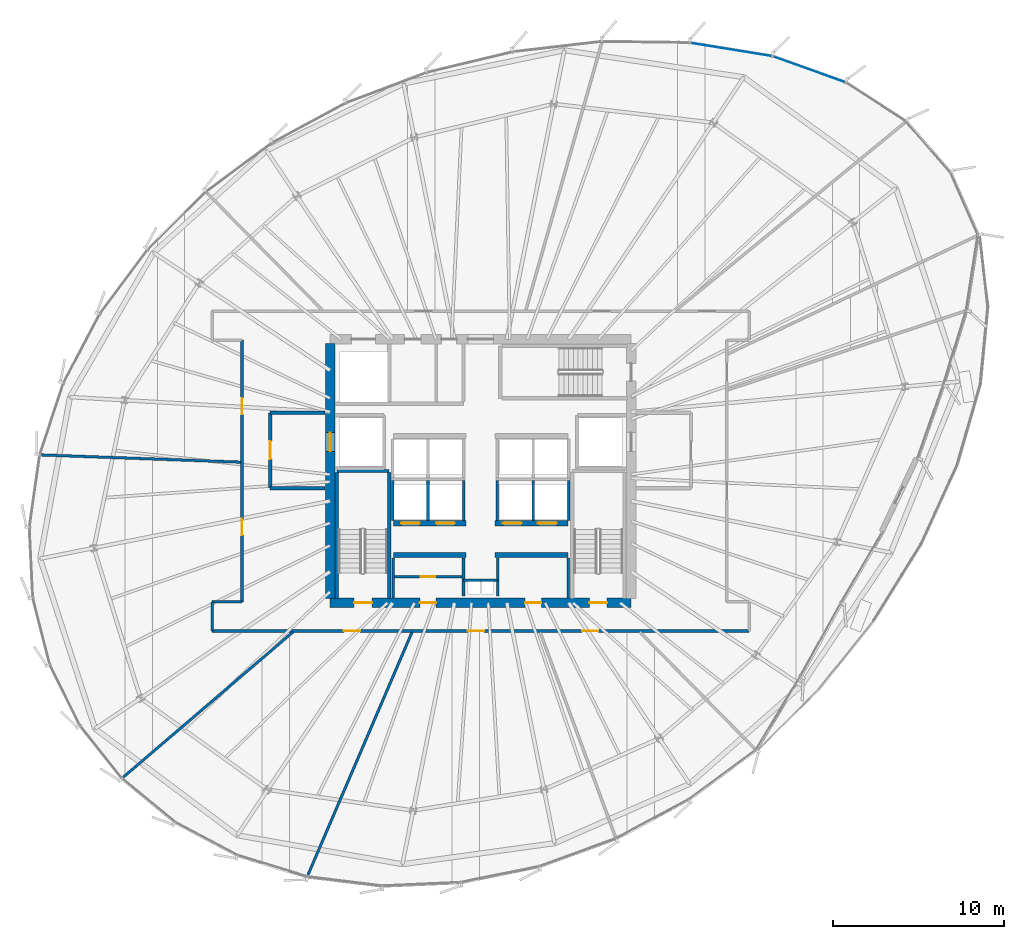
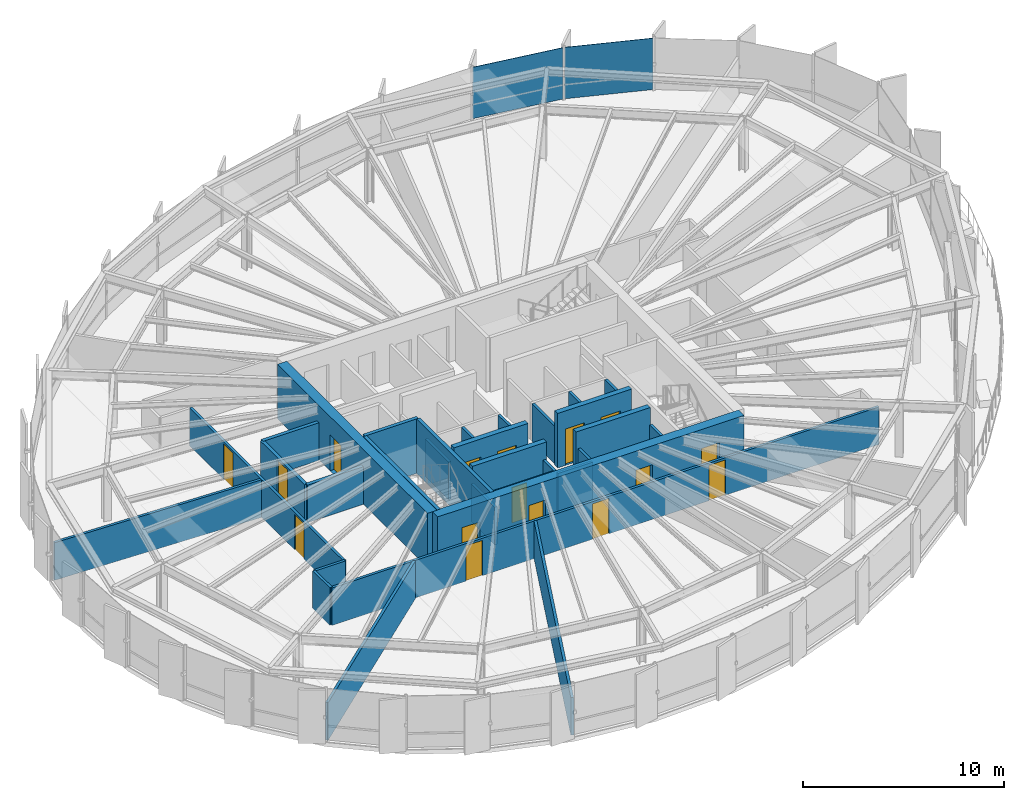
# One storey, part 30 of 36: 31 walls, 16 doors, 2 plates, 16 openings, 1 element without a shape of its own.
"""IFC4 building model written with IfcOpenShell, lengths in metres."""

import ifcopenshell
import ifcopenshell.guid

model = None  # the IFC model being written
_history = None  # IfcOwnerHistory: only IFC2X3 demands one
_inside = {}  # id of a spatial element -> (the spatial element, [elements in it])
_under = {}  # id of a project, library or spatial element -> (it, [spatial elements below it])
_declared = {}  # id of a project -> (the project, [libraries it declares])
_typed = {}  # id of a type object -> (the type object, [elements of that type])
_made_of = {}  # id of a material, layer set ... -> (it, [elements and type objects made of it])


def new_model(schema):
    """Start an empty IFC model of exactly this schema.

    Asked for "IFC4X3", IfcOpenShell would pick the latest addendum, in which some entities
    have other attributes; the version numbers below select the first issue.
    IFC2X3 requires an IfcOwnerHistory on every rooted entity: one is made here for all.
    """
    global model, _history
    if schema == "IFC4X3":
        model = ifcopenshell.file(schema_version=(4, 3, 0, 0))
    else:
        model = ifcopenshell.file(schema=schema)
    _inside.clear()
    _under.clear()
    _declared.clear()
    _typed.clear()
    _made_of.clear()
    _history = None
    if model.schema == "IFC2X3":
        org = make("IfcOrganization", Name="unknown")
        user = make(
            "IfcPersonAndOrganization",
            ThePerson=make("IfcPerson", FamilyName="unknown"),
            TheOrganization=org,
        )
        app = make(
            "IfcApplication",
            ApplicationDeveloper=org,
            Version="unknown",
            ApplicationFullName="unknown",
            ApplicationIdentifier="unknown",
        )
        _history = make(
            "IfcOwnerHistory",
            OwningUser=user,
            OwningApplication=app,
            ChangeAction="ADDED",
            CreationDate=0,
        )
    return model


def make(cls, **values):
    """One entity of the class cls with the attributes given. An attribute that is None is left unset."""
    return model.create_entity(
        cls, **{name: value for name, value in values.items() if value is not None}
    )


def rooted(cls, **values):
    """An entity with a GlobalId (a new one), such as an element, a storey or a relation."""
    return make(cls, GlobalId=ifcopenshell.guid.new(), OwnerHistory=_history, **values)


def si_unit(unit_type, name, prefix=None):
    """IfcSIUnit, for example si_unit("LENGTHUNIT", "METRE", prefix="MILLI")."""
    return make("IfcSIUnit", UnitType=unit_type, Prefix=prefix, Name=name)


def assignment(units):
    """IfcUnitAssignment: the units of a project."""
    return None if units is None else make("IfcUnitAssignment", Units=units)


def point(xyz):
    """IfcCartesianPoint."""
    return None if xyz is None else make("IfcCartesianPoint", Coordinates=xyz)


def direction(xyz):
    """IfcDirection."""
    return None if xyz is None else make("IfcDirection", DirectionRatios=xyz)


def frame(location, z_axis=None, x_axis=None):
    """IfcAxis2Placement3D, a coordinate frame: its origin and axes. An axis left out is left unset."""
    return make(
        "IfcAxis2Placement3D",
        Location=point(location),
        Axis=direction(z_axis),
        RefDirection=direction(x_axis),
    )


def frame_2d(location, x_axis=None):
    """IfcAxis2Placement2D, a coordinate frame in the plane: its origin and x axis."""
    return make(
        "IfcAxis2Placement2D", Location=point(location), RefDirection=direction(x_axis)
    )


def origin():
    """The frame at (0, 0, 0) with its axes left unset."""
    return frame((0.0, 0.0, 0.0))


def origin_2d():
    """The frame at (0, 0) in the plane with its x axis left unset."""
    return frame_2d((0.0, 0.0))


def place(relative_to, where):
    """IfcLocalPlacement: puts the frame where relative to a parent placement (None: the world)."""
    return make(
        "IfcLocalPlacement", PlacementRelTo=relative_to, RelativePlacement=where
    )


def context(
    kind, dimensions, precision=None, world=None, true_north=None, identifier=None
):
    """IfcGeometricRepresentationContext, for example the 3D "Model" context."""
    return make(
        "IfcGeometricRepresentationContext",
        ContextIdentifier=identifier,
        ContextType=kind,
        CoordinateSpaceDimension=dimensions,
        Precision=precision,
        WorldCoordinateSystem=world,
        TrueNorth=true_north,
    )


def subcontext(parent, identifier, kind, view, scale=None):
    """IfcGeometricRepresentationSubContext, for example "Body" below "Model"."""
    return make(
        "IfcGeometricRepresentationSubContext",
        ContextIdentifier=identifier,
        ContextType=kind,
        ParentContext=parent,
        TargetScale=scale,
        TargetView=view,
    )


def project(units=None, contexts=None):
    """IfcProject with its units and contexts."""
    return rooted(
        "IfcProject",
        Name="project",
        RepresentationContexts=contexts,
        UnitsInContext=assignment(units),
    )


def spatial(cls, under=None, at=None, **own):
    """A site, building, storey or space (cls), placed at a placement, below another one or the project."""
    s = rooted(cls, ObjectPlacement=at, **own)
    if under is not None:
        _under.setdefault(under.id(), (under, []))[1].append(s)
    return s


def profile(cls, at=None, kind="AREA", **sizes):
    """A parametric profile (cls). Its sizes go by their IFC names, for example OverallWidth=200.0."""
    return make(cls, ProfileType=kind, Position=at, **sizes)


def rectangle(**sizes):
    """IfcRectangleProfileDef."""
    return profile("IfcRectangleProfileDef", **sizes)


def extrude(swept, where, along, depth):
    """IfcExtrudedAreaSolid: the profile swept, set in the frame where, extruded along a direction by depth."""
    return make(
        "IfcExtrudedAreaSolid",
        SweptArea=swept,
        Position=where,
        ExtrudedDirection=direction(along),
        Depth=depth,
    )


def shape(context_of_items, identifier, shape_type, items):
    """IfcShapeRepresentation: the items that make up one representation, for example the "Body"."""
    return make(
        "IfcShapeRepresentation",
        ContextOfItems=context_of_items,
        RepresentationIdentifier=identifier,
        RepresentationType=shape_type,
        Items=items,
    )


def source(mapping_origin, context_of_items, identifier, shape_type, items):
    """IfcRepresentationMap: a shape defined once, which mapped items show again and again."""
    return make(
        "IfcRepresentationMap",
        MappingOrigin=mapping_origin,
        MappedRepresentation=shape(context_of_items, identifier, shape_type, items),
    )


def transform(
    local_origin,
    x_axis=None,
    y_axis=None,
    z_axis=None,
    scale=None,
    scale2=None,
    scale3=None,
    uniform=True,
):
    """IfcCartesianTransformationOperator3D, or its non-uniform kind. x_axis, y_axis, z_axis: its Axis1, 2, 3."""
    if uniform:
        return make(
            "IfcCartesianTransformationOperator3D",
            Axis1=direction(x_axis),
            Axis2=direction(y_axis),
            LocalOrigin=point(local_origin),
            Scale=scale,
            Axis3=direction(z_axis),
        )
    return make(
        "IfcCartesianTransformationOperator3DnonUniform",
        Axis1=direction(x_axis),
        Axis2=direction(y_axis),
        LocalOrigin=point(local_origin),
        Scale=scale,
        Axis3=direction(z_axis),
        Scale2=scale2,
        Scale3=scale3,
    )


def mapped(mapping_source, mapping_target):
    """IfcMappedItem: shows the shape of a source again, moved by a transform."""
    return make(
        "IfcMappedItem", MappingSource=mapping_source, MappingTarget=mapping_target
    )


def material(Name=None, Category=None):
    """IfcMaterial."""
    return make("IfcMaterial", Name=Name, Category=Category)


def layer(
    of_material, thickness, ventilated=None, Name=None, Category=None, Priority=None
):
    """IfcMaterialLayer: one layer of a wall or slab, of a material (None: an air gap)."""
    return make(
        "IfcMaterialLayer",
        Material=of_material,
        LayerThickness=thickness,
        IsVentilated=ventilated,
        Name=Name,
        Category=Category,
        Priority=Priority,
    )


def layer_set(layers, Name=None):
    """IfcMaterialLayerSet."""
    return make("IfcMaterialLayerSet", MaterialLayers=layers, LayerSetName=Name)


def made_of(thing, what):
    """Note that an element or type object is made of a material, layer set ...; save() writes the relation."""
    if what is not None:
        _made_of.setdefault(what.id(), (what, []))[1].append(thing)
    return thing


def type_object(cls, material=None, **own):
    """A type object (cls), such as IfcWallType, which elements share."""
    return made_of(rooted(cls, **own), material)


def element(
    cls,
    number,
    at=None,
    inside=None,
    cuts=None,
    type_object=None,
    material=None,
    context=None,
    identifier="Body",
    shape_type=None,
    held_by="IfcProductDefinitionShape",
    body=None,
    shapes=None,
    **own,
):
    """One element of the class cls, such as IfcWall. Its Tag is "e" and its number.

    at: its placement. inside: the storey or other place that contains it. cuts: it is an
    opening in that element (IfcRelVoidsElement). A single representation is given by context,
    identifier, shape_type and body (its items); several are given by shapes. held_by: the class
    of the entity that holds the representations. save() writes the other relations.
    """
    e = rooted(cls, Tag="e%d" % number, ObjectPlacement=at, **own)
    if body is not None:
        shapes = [shape(context, identifier, shape_type, body)]
    if shapes is not None:
        e.Representation = make(held_by, Representations=shapes)
    if inside is not None:
        _inside.setdefault(inside.id(), (inside, []))[1].append(e)
    if cuts is not None:
        rooted(
            "IfcRelVoidsElement", RelatingBuildingElement=cuts, RelatedOpeningElement=e
        )
    if type_object is not None:
        _typed.setdefault(type_object.id(), (type_object, []))[1].append(e)
    return made_of(e, material)


def fill(opening, filler):
    """IfcRelFillsElement: the door or window that sits in an opening."""
    return rooted(
        "IfcRelFillsElement",
        RelatingOpeningElement=opening,
        RelatedBuildingElement=filler,
    )


def aggregate(whole, parts):
    """IfcRelAggregates: a whole, such as a stair, and the parts it consists of."""
    return rooted("IfcRelAggregates", RelatingObject=whole, RelatedObjects=parts)


def save(model, path):
    """Write the relations noted so far, then the file.

    IfcRelAggregates (storeys below a building ...), IfcRelContainedInSpatialStructure (elements
    in a storey), IfcRelDefinesByType, IfcRelAssociatesMaterial and IfcRelDeclares: one each for
    every whole, place, type object, material and project.
    """
    for whole, parts in _under.values():
        aggregate(whole, parts)
    for where, things in _inside.values():
        rooted(
            "IfcRelContainedInSpatialStructure",
            RelatedElements=things,
            RelatingStructure=where,
        )
    for kind, things in _typed.values():
        rooted("IfcRelDefinesByType", RelatedObjects=things, RelatingType=kind)
    for what, things in _made_of.values():
        rooted("IfcRelAssociatesMaterial", RelatedObjects=things, RelatingMaterial=what)
    for by, libraries in _declared.values():
        rooted("IfcRelDeclares", RelatingContext=by, RelatedDefinitions=libraries)
    model.write(path)


model = new_model("IFC4")

# Units and contexts
model_context = context("Model", 3, precision=1e-05, world=origin(), true_north=direction((0.0, 1.0)))
body_context = subcontext(model_context, "Body", "Model", "MODEL_VIEW")
ifc_project = project(units=[si_unit("LENGTHUNIT", "METRE"), si_unit("AREAUNIT", "SQUARE_METRE"), si_unit("VOLUMEUNIT", "CUBIC_METRE"), si_unit("PLANEANGLEUNIT", "RADIAN"), si_unit("MASSUNIT", "GRAM", prefix="KILO"), si_unit("THERMODYNAMICTEMPERATUREUNIT", "KELVIN")], contexts=[model_context])

# Site, building, storey
site_placement = place(None, origin())
site = spatial("IfcSite", under=ifc_project, at=site_placement, CompositionType="ELEMENT")
building_placement = place(site_placement, origin())
building = spatial("IfcBuilding", under=site, at=building_placement, Name="Kethvar Cultural Tower", CompositionType="ELEMENT")
storey_placement = place(building_placement, frame((0.0, 0.0, 164.300048828125)))
storey = spatial("IfcBuildingStorey", under=building, at=storey_placement, Name="L42", CompositionType="ELEMENT", Elevation=164.300048828125)

# Curtain wall, plates
ifc_material_1 = material(Name="Aluminium 6063-T6", Category="aluminium")
ifc_layer_1 = layer(ifc_material_1, 0.179931640625, Name="Aluminium 6063-T6", Category="aluminium")
ifc_layer_set_1 = layer_set([ifc_layer_1], Name="Aluminium 6063-T6 (180 mm)")
curtain_wall_type = type_object("IfcCurtainWallType", Name="CW-SYS-04-Z34", PredefinedType="NOTDEFINED", material=ifc_layer_set_1)
curtain_wall_placement = place(storey_placement, origin())
curtain_wall = element("IfcCurtainWall", 1, at=curtain_wall_placement, inside=storey, type_object=curtain_wall_type, Name="L42 Curtain Wall Run 01", PredefinedType="NOTDEFINED")
ifc_material_2 = material(Name="Insulated Low-E Solar Glass", Category="glass")
ifc_layer_2 = layer(ifc_material_2, 0.030029296875, Name="Insulated Low-E Solar Glass", Category="glass")
ifc_layer_set_2 = layer_set([ifc_layer_2], Name="Insulated Low-E Solar Glass (30 mm)")
plate_type = type_object("IfcPlateType", Name="CW-SYS-04-Z34-PNL", PredefinedType="CURTAIN_PANEL", material=ifc_layer_set_2)
shared_shape_1 = source(origin(), body_context, "Body", "SweptSolid", [
    extrude(rectangle(XDim=4.485107421875, YDim=0.030029296875, at=origin_2d()), origin(), (0.0, 0.0, 1.0), 3.1201171875),
])
plate_1_placement = place(storey_placement, frame((65.98876953125, 51.27978515625, 0.08984375), z_axis=(0.0, 0.0, 1.0), x_axis=(-0.941611664345, 0.336700866602, 0.0)))
plate_1 = element("IfcPlate", 2, at=plate_1_placement, type_object=plate_type, Name="CW-L42-R01 Vision Glazing Panel 3", PredefinedType="CURTAIN_PANEL", context=body_context, shape_type="MappedRepresentation", body=[
    mapped(shared_shape_1, transform((0.0, 0.0, 0.0), scale=1.0)),
])
shared_shape_2 = source(origin(), body_context, "Body", "SweptSolid", [
    extrude(rectangle(XDim=4.821044921875, YDim=0.030029296875, at=origin_2d()), origin(), (0.0, 0.0, 1.0), 3.1201171875),
])
plate_2_placement = place(storey_placement, frame((61.433837890625, 52.437255859375, 0.08984375), z_axis=(0.0, 0.0, 1.0), x_axis=(-0.987085988204, 0.160191297801, 0.0)))
plate_2 = element("IfcPlate", 3, at=plate_2_placement, type_object=plate_type, Name="CW-L42-R01 Vision Glazing Panel 4", PredefinedType="CURTAIN_PANEL", context=body_context, shape_type="MappedRepresentation", body=[
    mapped(shared_shape_2, transform((0.0, 0.0, 0.0), scale=1.0)),
])
aggregate(curtain_wall, [plate_1, plate_2])

# Wall, openings, doors
ifc_material_3 = material(Name="Concrete C60/75", Category="concrete")
ifc_layer_3 = layer(ifc_material_3, 0.550048828125, Name="Concrete C60/75", Category="concrete")
ifc_layer_set_3 = layer_set([ifc_layer_3], Name="Concrete C60/75 (550 mm)")
wall_type_1 = type_object("IfcWallType", Name="WL-CORE-550", PredefinedType="SHEAR", material=ifc_layer_set_3)
wall_1_placement = place(storey_placement, frame((38.0, 20.10009765625, 0.0), z_axis=(0.0, 0.0, 1.0), x_axis=(1.0, 0.0, 0.0)))
wall_1 = element("IfcWall", 4, at=wall_1_placement, inside=storey, type_object=wall_type_1, Name="L42 Core Shear Wall S", PredefinedType="SHEAR", context=body_context, shape_type="SweptSolid", body=[
    extrude(rectangle(XDim=17.60009765625, YDim=0.550048828125, at=frame_2d((8.800048828125, 0.0))), origin(), (0.0, 0.0, 1.0), 3.300048828125),
])
opening_1_placement = place(wall_1_placement, frame((1.39990234375, 0.0, 0.0)))
opening_1 = element("IfcOpeningElement", 5, at=opening_1_placement, cuts=wall_1, Name="Opening D-L42-S1", PredefinedType="OPENING", context=body_context, shape_type="SweptSolid", body=[
    extrude(rectangle(XDim=1.050048828125, YDim=2.14990234375, at=frame_2d((0.52490234375, 1.074951171875))), frame((0.0, 0.284912109375, 0.0), z_axis=(0.0, -1.0, 0.0), x_axis=(1.0, 0.0, 0.0)), (0.0, 0.0, 1.0), 0.570068359375),
])
opening_2_placement = place(wall_1_placement, frame((15.14990234375, 0.0, 0.0)))
opening_2 = element("IfcOpeningElement", 6, at=opening_2_placement, cuts=wall_1, Name="Opening D-L42-ST2", PredefinedType="OPENING", context=body_context, shape_type="SweptSolid", body=[
    extrude(rectangle(XDim=1.050048828125, YDim=2.14990234375, at=frame_2d((0.52490234375, 1.074951171875))), frame((0.0, 0.284912109375, 0.0), z_axis=(0.0, -1.0, 0.0), x_axis=(1.0, 0.0, 0.0)), (0.0, 0.0, 1.0), 0.570068359375),
])
opening_3_placement = place(wall_1_placement, frame((5.25, 0.0, 0.0)))
opening_3 = element("IfcOpeningElement", 7, at=opening_3_placement, cuts=wall_1, Name="Opening D-L42-V1", PredefinedType="OPENING", context=body_context, shape_type="SweptSolid", body=[
    extrude(rectangle(XDim=0.949951171875, YDim=2.14990234375, at=frame_2d((0.47509765625, 1.074951171875))), frame((0.0, 0.284912109375, 0.0), z_axis=(0.0, -1.0, 0.0), x_axis=(1.0, 0.0, 0.0)), (0.0, 0.0, 1.0), 0.570068359375),
])
opening_4_placement = place(wall_1_placement, frame((11.39990234375, 0.0, 0.0)))
opening_4 = element("IfcOpeningElement", 8, at=opening_4_placement, cuts=wall_1, Name="Opening D-L42-V2", PredefinedType="OPENING", context=body_context, shape_type="SweptSolid", body=[
    extrude(rectangle(XDim=0.949951171875, YDim=2.14990234375, at=frame_2d((0.47509765625, 1.074951171875))), frame((0.0, 0.284912109375, 0.0), z_axis=(0.0, -1.0, 0.0), x_axis=(1.0, 0.0, 0.0)), (0.0, 0.0, 1.0), 0.570068359375),
])
ifc_material_4 = material(Name="Steel S355J2", Category="steel")
door_type_1 = type_object("IfcDoorType", Name="DR-FD60-1050", OperationType="NOTDEFINED", PredefinedType="DOOR", material=ifc_material_4)
shared_shape_3 = source(origin(), body_context, "Body", "SweptSolid", [
    extrude(rectangle(XDim=1.050048828125, YDim=2.14990234375, at=frame_2d((0.52490234375, 1.074951171875))), frame((0.0, 0.02490234375, 0.0), z_axis=(0.0, -1.0, 0.0), x_axis=(1.0, 0.0, 0.0)), (0.0, 0.0, 1.0), 0.050048828125),
])
door_1_placement = place(opening_1_placement, origin())
door_1 = element("IfcDoor", 9, at=door_1_placement, inside=storey, type_object=door_type_1, Name="L42 Exit Stair 1 Door", OperationType="SINGLE_SWING_LEFT", OverallHeight=2.14990234375, OverallWidth=1.050048828125, PredefinedType="DOOR", context=body_context, shape_type="MappedRepresentation", body=[
    mapped(shared_shape_3, transform((0.0, 0.0, 0.0), scale=1.0)),
])
fill(opening_1, door_1)
door_2_placement = place(opening_2_placement, origin())
door_2 = element("IfcDoor", 10, at=door_2_placement, inside=storey, type_object=door_type_1, Name="L42 Exit Stair 2 Door", OperationType="SINGLE_SWING_RIGHT", OverallHeight=2.14990234375, OverallWidth=1.050048828125, PredefinedType="DOOR", context=body_context, shape_type="MappedRepresentation", body=[
    mapped(shared_shape_3, transform((0.0, 0.0, 0.0), scale=1.0)),
])
fill(opening_2, door_2)
ifc_material_5 = material(Name="Architectural Oak Timber", Category="wood")
door_type_2 = type_object("IfcDoorType", Name="DR-FD30-950", OperationType="NOTDEFINED", PredefinedType="DOOR", material=ifc_material_5)
shared_shape_4 = source(origin(), body_context, "Body", "SweptSolid", [
    extrude(rectangle(XDim=0.949951171875, YDim=2.14990234375, at=frame_2d((0.47509765625, 1.074951171875))), frame((0.0, 0.02490234375, 0.0), z_axis=(0.0, -1.0, 0.0), x_axis=(1.0, 0.0, 0.0)), (0.0, 0.0, 1.0), 0.050048828125),
])
door_3_placement = place(opening_3_placement, origin())
door_3 = element("IfcDoor", 11, at=door_3_placement, inside=storey, type_object=door_type_2, Name="L42 Reclaimed West South Door", OperationType="SINGLE_SWING_LEFT", OverallHeight=2.14990234375, OverallWidth=0.949951171875, PredefinedType="DOOR", context=body_context, shape_type="MappedRepresentation", body=[
    mapped(shared_shape_4, transform((0.0, 0.0, 0.0), scale=1.0)),
])
fill(opening_3, door_3)
door_4_placement = place(opening_4_placement, origin())
door_4 = element("IfcDoor", 12, at=door_4_placement, inside=storey, type_object=door_type_2, Name="L42 Reclaimed East Server Door", OperationType="SINGLE_SWING_RIGHT", OverallHeight=2.14990234375, OverallWidth=0.949951171875, PredefinedType="DOOR", context=body_context, shape_type="MappedRepresentation", body=[
    mapped(shared_shape_4, transform((0.0, 0.0, 0.0), scale=1.0)),
])
fill(opening_4, door_4)

# Wall, opening, door
wall_2_placement = place(storey_placement, frame((38.0, 35.260009765625, 0.0), z_axis=(0.0, 0.0, 1.0), x_axis=(0.0, -1.0, 0.0)))
wall_2 = element("IfcWall", 13, at=wall_2_placement, inside=storey, type_object=wall_type_1, Name="L42 Core Shear Wall W", PredefinedType="SHEAR", context=body_context, shape_type="SweptSolid", body=[
    extrude(rectangle(XDim=14.919921875, YDim=0.550048828125, at=frame_2d((7.4599609375, 0.0))), origin(), (0.0, 0.0, 1.0), 3.300048828125),
])
opening_5_placement = place(wall_2_placement, frame((5.2099609375, 0.0, 0.0)))
opening_5 = element("IfcOpeningElement", 14, at=opening_5_placement, cuts=wall_2, Name="Opening LD-1", PredefinedType="OPENING", context=body_context, shape_type="SweptSolid", body=[
    extrude(rectangle(XDim=1.10009765625, YDim=2.199951171875, at=frame_2d((0.550048828125, 1.10009765625))), frame((0.0, 0.284912109375, 0.0), z_axis=(0.0, -1.0, 0.0), x_axis=(1.0, 0.0, 0.0)), (0.0, 0.0, 1.0), 0.570068359375),
])
door_type_3 = type_object("IfcDoorType", Name="DR-LIFT-SLIDE-1100", OperationType="NOTDEFINED", PredefinedType="DOOR", material=ifc_material_4)
shared_shape_5 = source(origin(), body_context, "Body", "SweptSolid", [
    extrude(rectangle(XDim=1.10009765625, YDim=2.199951171875, at=frame_2d((0.550048828125, 1.10009765625))), frame((0.0, 0.02490234375, 0.0), z_axis=(0.0, -1.0, 0.0), x_axis=(1.0, 0.0, 0.0)), (0.0, 0.0, 1.0), 0.050048828125),
])
door_5_placement = place(opening_5_placement, origin())
door_5 = element("IfcDoor", 15, at=door_5_placement, inside=storey, type_object=door_type_3, Name="L42 Firefighting Lift Landing Door FFL-01", OperationType="SLIDING_TO_LEFT", OverallHeight=2.199951171875, OverallWidth=1.10009765625, PredefinedType="DOOR", context=body_context, shape_type="MappedRepresentation", body=[
    mapped(shared_shape_5, transform((0.0, 0.0, 0.0), scale=1.0)),
])
fill(opening_5, door_5)

# Walls
ifc_material_6 = material(Name="Gypsum Fireboard Partition")
ifc_layer_4 = layer(ifc_material_6, 0.14990234375, Name="Gypsum Fireboard Partition")
ifc_layer_set_4 = layer_set([ifc_layer_4], Name="Gypsum Fireboard Partition (150 mm)")
wall_type_2 = type_object("IfcWallType", Name="WL-FIRE-150", PredefinedType="PARTITIONING", material=ifc_layer_set_4)
wall_3_placement = place(storey_placement, frame((45.800048828125, 21.419921875, 0.0), z_axis=(0.0, 0.0, 1.0), x_axis=(1.0, 0.0, 0.0)))
element("IfcWall", 16, at=wall_3_placement, inside=storey, type_object=wall_type_2, Name="L42 Core Riser Wall", PredefinedType="PARTITIONING", context=body_context, shape_type="SweptSolid", body=[
    extrude(rectangle(XDim=2.0, YDim=0.14990234375, at=frame_2d((1.0, 0.0))), origin(), (0.0, 0.0, 1.0), 2.280029296875),
])
for number, where, z_axis, x_axis, name in (
    (17, (45.800048828125, 20.47998046875, 0.0), (0.0, 0.0, 1.0), (0.0, 1.0, 0.0), "L42 Core Riser West Wall"),
    (18, (47.800048828125, 20.47998046875, 0.0), (0.0, 0.0, 1.0), (0.0, 1.0, 0.0), "L42 Core Riser East Wall"),
):
    element("IfcWall", number, at=place(storey_placement, frame(where, z_axis=z_axis, x_axis=x_axis)), inside=storey, type_object=wall_type_2, Name=name, PredefinedType="PARTITIONING", context=body_context, shape_type="SweptSolid", body=[
        extrude(rectangle(XDim=2.239990234375, YDim=0.14990234375, at=frame_2d((1.1201171875, 0.0))), origin(), (0.0, 0.0, 1.0), 2.280029296875),
    ])
for number, where, z_axis, x_axis, name in (
    (19, (41.679931640625, 20.385009765625, 0.0), (0.0, 0.0, 1.0), (0.0, 1.0, 0.0), "L42 Reclaimed West Outer Wall"),
    (20, (51.919921875, 20.385009765625, 0.0), (0.0, 0.0, 1.0), (0.0, 1.0, 0.0), "L42 Reclaimed East Outer Wall"),
):
    element("IfcWall", number, at=place(storey_placement, frame(where, z_axis=z_axis, x_axis=x_axis)), inside=storey, type_object=wall_type_2, Name=name, PredefinedType="PARTITIONING", context=body_context, shape_type="SweptSolid", body=[
        extrude(rectangle(XDim=2.344970703125, YDim=0.14990234375, at=frame_2d((1.17236328125, 0.0))), origin(), (0.0, 0.0, 1.0), 2.280029296875),
    ])

# Wall, opening, door
wall_4_placement = place(storey_placement, frame((41.760009765625, 21.6201171875, 0.0), z_axis=(0.0, 0.0, 1.0), x_axis=(1.0, 0.0, 0.0)))
wall_4 = element("IfcWall", 21, at=wall_4_placement, inside=storey, type_object=wall_type_2, Name="L42 Vault Gallery Wall W", PredefinedType="PARTITIONING", context=body_context, shape_type="SweptSolid", body=[
    extrude(rectangle(XDim=3.9599609375, YDim=0.14990234375, at=frame_2d((1.97998046875, 0.0))), origin(), (0.0, 0.0, 1.0), 2.280029296875),
])
opening_6_placement = place(wall_4_placement, frame((1.550048828125, 0.0, 0.0)))
opening_6 = element("IfcOpeningElement", 22, at=opening_6_placement, cuts=wall_4, Name="Opening D-L42-V3", PredefinedType="OPENING", context=body_context, shape_type="SweptSolid", body=[
    extrude(rectangle(XDim=0.85009765625, YDim=2.14990234375, at=frame_2d((0.425048828125, 1.074951171875))), frame((0.0, 0.0849609375, 0.0), z_axis=(0.0, -1.0, 0.0), x_axis=(1.0, 0.0, 0.0)), (0.0, 0.0, 1.0), 0.169921875),
])
door_type_4 = type_object("IfcDoorType", Name="DR-FD30-850", OperationType="NOTDEFINED", PredefinedType="DOOR", material=ifc_material_4)
shared_shape_6 = source(origin(), body_context, "Body", "SweptSolid", [
    extrude(rectangle(XDim=0.85009765625, YDim=2.14990234375, at=frame_2d((0.425048828125, 1.074951171875))), frame((0.0, 0.02490234375, 0.0), z_axis=(0.0, -1.0, 0.0), x_axis=(1.0, 0.0, 0.0)), (0.0, 0.0, 1.0), 0.050048828125),
])
door_6_placement = place(opening_6_placement, origin())
door_6 = element("IfcDoor", 23, at=door_6_placement, inside=storey, type_object=door_type_4, Name="L42 Inner Vault Gallery Door", OperationType="SINGLE_SWING_LEFT", OverallHeight=2.14990234375, OverallWidth=0.85009765625, PredefinedType="DOOR", context=body_context, shape_type="MappedRepresentation", body=[
    mapped(shared_shape_6, transform((0.0, 0.0, 0.0), scale=1.0)),
])
fill(opening_6, door_6)

# Walls
for number, where, z_axis, x_axis, name in (
    (24, (41.64990234375, 24.919921875, 0.0), (0.0, 0.0, 1.0), (0.0, 1.0, 0.0), "L42 Mid-Rise Lift Shaft Outer Wall W"),
    (25, (43.72509765625, 24.919921875, 0.0), (0.0, 0.0, 1.0), (0.0, 1.0, 0.0), "L42 Mid-Rise Lift Shaft Divider W"),
    (26, (45.824951171875, 24.919921875, 0.0), (0.0, 0.0, 1.0), (0.0, 1.0, 0.0), "L42 Mid-Rise Lift Shaft Concourse Wall W"),
    (27, (47.77490234375, 24.919921875, 0.0), (0.0, 0.0, 1.0), (0.0, 1.0, 0.0), "L42 Mid-Rise Lift Shaft Concourse Wall E"),
    (28, (49.875, 24.919921875, 0.0), (0.0, 0.0, 1.0), (0.0, 1.0, 0.0), "L42 Mid-Rise Lift Shaft Divider E"),
    (29, (51.949951171875, 24.919921875, 0.0), (0.0, 0.0, 1.0), (0.0, 1.0, 0.0), "L42 Mid-Rise Lift Shaft Outer Wall E"),
):
    element("IfcWall", number, at=place(storey_placement, frame(where, z_axis=z_axis, x_axis=x_axis)), inside=storey, type_object=wall_type_2, Name=name, PredefinedType="PARTITIONING", context=body_context, shape_type="SweptSolid", body=[
        extrude(rectangle(XDim=2.320068359375, YDim=0.14990234375, at=frame_2d((1.16015625, 0.0))), origin(), (0.0, 0.0, 1.0), 2.280029296875),
    ])

# Wall, openings, doors
wall_5_placement = place(storey_placement, frame((31.10009765625, 18.449951171875, 0.0), z_axis=(0.0, 0.0, 1.0), x_axis=(1.0, 0.0, 0.0)))
wall_5 = element("IfcWall", 30, at=wall_5_placement, inside=storey, type_object=wall_type_2, Name="L42 Corridor Rated Wall S", PredefinedType="PARTITIONING", context=body_context, shape_type="SweptSolid", body=[
    extrude(rectangle(XDim=31.39990234375, YDim=0.14990234375, at=frame_2d((15.699951171875, 0.0))), origin(), (0.0, 0.0, 1.0), 2.280029296875),
])
opening_7_placement = place(wall_5_placement, frame((7.70849609375, 0.0, 0.0)))
opening_7 = element("IfcOpeningElement", 31, at=opening_7_placement, cuts=wall_5, Name="Opening D-L42-01", PredefinedType="OPENING", context=body_context, shape_type="SweptSolid", body=[
    extrude(rectangle(XDim=0.949951171875, YDim=2.14990234375, at=frame_2d((0.47509765625, 1.074951171875))), frame((0.0, 0.0849609375, 0.0), z_axis=(0.0, -1.0, 0.0), x_axis=(1.0, 0.0, 0.0)), (0.0, 0.0, 1.0), 0.169921875),
])
opening_8_placement = place(wall_5_placement, frame((14.9560546875, 0.0, 0.0)))
opening_8 = element("IfcOpeningElement", 32, at=opening_8_placement, cuts=wall_5, Name="Opening D-L42-02", PredefinedType="OPENING", context=body_context, shape_type="SweptSolid", body=[
    extrude(rectangle(XDim=0.949951171875, YDim=2.14990234375, at=frame_2d((0.47509765625, 1.074951171875))), frame((0.0, 0.0849609375, 0.0), z_axis=(0.0, -1.0, 0.0), x_axis=(1.0, 0.0, 0.0)), (0.0, 0.0, 1.0), 0.169921875),
])
opening_9_placement = place(wall_5_placement, frame((21.6318359375, 0.0, 0.0)))
opening_9 = element("IfcOpeningElement", 33, at=opening_9_placement, cuts=wall_5, Name="Opening D-L42-03", PredefinedType="OPENING", context=body_context, shape_type="SweptSolid", body=[
    extrude(rectangle(XDim=0.949951171875, YDim=2.14990234375, at=frame_2d((0.47509765625, 1.074951171875))), frame((0.0, 0.0849609375, 0.0), z_axis=(0.0, -1.0, 0.0), x_axis=(1.0, 0.0, 0.0)), (0.0, 0.0, 1.0), 0.169921875),
])
door_7_placement = place(opening_7_placement, origin())
door_7 = element("IfcDoor", 34, at=door_7_placement, inside=storey, type_object=door_type_2, Name="L42 Institutional Tenant Office 01 Door", OperationType="SINGLE_SWING_LEFT", OverallHeight=2.14990234375, OverallWidth=0.949951171875, PredefinedType="DOOR", context=body_context, shape_type="MappedRepresentation", body=[
    mapped(shared_shape_4, transform((0.0, 0.0, 0.0), scale=1.0)),
])
fill(opening_7, door_7)
door_8_placement = place(opening_8_placement, origin())
door_8 = element("IfcDoor", 35, at=door_8_placement, inside=storey, type_object=door_type_2, Name="L42 Editorial Partner Office 02 Door", OperationType="SINGLE_SWING_RIGHT", OverallHeight=2.14990234375, OverallWidth=0.949951171875, PredefinedType="DOOR", context=body_context, shape_type="MappedRepresentation", body=[
    mapped(shared_shape_4, transform((0.0, 0.0, 0.0), scale=1.0)),
])
fill(opening_8, door_8)
door_9_placement = place(opening_9_placement, origin())
door_9 = element("IfcDoor", 36, at=door_9_placement, inside=storey, type_object=door_type_2, Name="L42 Open Plan Office 03 Door", OperationType="SINGLE_SWING_LEFT", OverallHeight=2.14990234375, OverallWidth=0.949951171875, PredefinedType="DOOR", context=body_context, shape_type="MappedRepresentation", body=[
    mapped(shared_shape_4, transform((0.0, 0.0, 0.0), scale=1.0)),
])
fill(opening_9, door_9)

wall_6_placement = place(storey_placement, frame((32.85009765625, 35.449951171875, 0.0), z_axis=(0.0, 0.0, 1.0), x_axis=(0.0, -1.0, 0.0)))
wall_6 = element("IfcWall", 37, at=wall_6_placement, inside=storey, type_object=wall_type_2, Name="L42 Corridor Rated Wall WM", PredefinedType="PARTITIONING", context=body_context, shape_type="SweptSolid", body=[
    extrude(rectangle(XDim=15.300048828125, YDim=0.14990234375, at=frame_2d((7.64990234375, 0.0))), origin(), (0.0, 0.0, 1.0), 2.280029296875),
])
opening_10_placement = place(wall_6_placement, frame((3.38134765625, 0.0, 0.0)))
opening_10 = element("IfcOpeningElement", 38, at=opening_10_placement, cuts=wall_6, Name="Opening D-L42-09", PredefinedType="OPENING", context=body_context, shape_type="SweptSolid", body=[
    extrude(rectangle(XDim=0.949951171875, YDim=2.14990234375, at=frame_2d((0.47509765625, 1.074951171875))), frame((0.0, 0.0849609375, 0.0), z_axis=(0.0, -1.0, 0.0), x_axis=(1.0, 0.0, 0.0)), (0.0, 0.0, 1.0), 0.169921875),
])
opening_11_placement = place(wall_6_placement, frame((10.451416015625, 0.0, 0.0)))
opening_11 = element("IfcOpeningElement", 39, at=opening_11_placement, cuts=wall_6, Name="Opening D-L42-10", PredefinedType="OPENING", context=body_context, shape_type="SweptSolid", body=[
    extrude(rectangle(XDim=0.949951171875, YDim=2.14990234375, at=frame_2d((0.47509765625, 1.074951171875))), frame((0.0, 0.0849609375, 0.0), z_axis=(0.0, -1.0, 0.0), x_axis=(1.0, 0.0, 0.0)), (0.0, 0.0, 1.0), 0.169921875),
])
door_10_placement = place(opening_10_placement, origin())
door_10 = element("IfcDoor", 40, at=door_10_placement, inside=storey, type_object=door_type_2, Name="L42 Members' Dining Lounge 09 Door", OperationType="SINGLE_SWING_LEFT", OverallHeight=2.14990234375, OverallWidth=0.949951171875, PredefinedType="DOOR", context=body_context, shape_type="MappedRepresentation", body=[
    mapped(shared_shape_4, transform((0.0, 0.0, 0.0), scale=1.0)),
])
fill(opening_10, door_10)
door_11_placement = place(opening_11_placement, origin())
door_11 = element("IfcDoor", 41, at=door_11_placement, inside=storey, type_object=door_type_2, Name="L42 Visitor Reception 10 Door", OperationType="SINGLE_SWING_RIGHT", OverallHeight=2.14990234375, OverallWidth=0.949951171875, PredefinedType="DOOR", context=body_context, shape_type="MappedRepresentation", body=[
    mapped(shared_shape_4, transform((0.0, 0.0, 0.0), scale=1.0)),
])
fill(opening_11, door_11)

# Walls
wall_7_placement = place(storey_placement, frame((32.85009765625, 20.14990234375, 0.0), z_axis=(0.0, 0.0, 1.0), x_axis=(-1.0, 0.0, 0.0)))
element("IfcWall", 42, at=wall_7_placement, inside=storey, type_object=wall_type_2, Name="L42 Corridor Rated Wall WST", PredefinedType="PARTITIONING", context=body_context, shape_type="SweptSolid", body=[
    extrude(rectangle(XDim=1.75, YDim=0.14990234375, at=frame_2d((0.875, 0.0))), origin(), (0.0, 0.0, 1.0), 2.280029296875),
])
wall_8_placement = place(storey_placement, frame((31.10009765625, 20.14990234375, 0.0), z_axis=(0.0, 0.0, 1.0), x_axis=(0.0, -1.0, 0.0)))
element("IfcWall", 43, at=wall_8_placement, inside=storey, type_object=wall_type_2, Name="L42 Corridor Rated Wall WS", PredefinedType="PARTITIONING", context=body_context, shape_type="SweptSolid", body=[
    extrude(rectangle(XDim=1.699951171875, YDim=0.14990234375, at=frame_2d((0.85009765625, 0.0))), origin(), (0.0, 0.0, 1.0), 2.280029296875),
])

# Wall, opening, door
ifc_material_7 = material(Name="Concrete C40/50", Category="concrete")
ifc_layer_5 = layer(ifc_material_7, 0.199951171875, Name="Concrete C40/50", Category="concrete")
ifc_layer_set_5 = layer_set([ifc_layer_5], Name="Concrete C40/50 (200 mm)")
wall_type_3 = type_object("IfcWallType", Name="WL-FIRE-200", PredefinedType="PARTITIONING", material=ifc_layer_set_5)
wall_9_placement = place(storey_placement, frame((34.5, 31.199951171875, 0.0), z_axis=(0.0, 0.0, 1.0), x_axis=(0.0, -1.0, 0.0)))
wall_9 = element("IfcWall", 44, at=wall_9_placement, inside=storey, type_object=wall_type_3, Name="L42 Firefighting Lobby 1 Wall", PredefinedType="PARTITIONING", context=body_context, shape_type="SweptSolid", body=[
    extrude(rectangle(XDim=4.39990234375, YDim=0.199951171875, at=frame_2d((2.199951171875, 0.0))), origin(), (0.0, 0.0, 1.0), 2.280029296875),
])
opening_12_placement = place(wall_9_placement, frame((1.64990234375, 0.0, 0.0)))
opening_12 = element("IfcOpeningElement", 45, at=opening_12_placement, cuts=wall_9, Name="Opening D-L42-F1", PredefinedType="OPENING", context=body_context, shape_type="SweptSolid", body=[
    extrude(rectangle(XDim=1.050048828125, YDim=2.14990234375, at=frame_2d((0.52490234375, 1.074951171875))), frame((0.0, 0.10986328125, 0.0), z_axis=(0.0, -1.0, 0.0), x_axis=(1.0, 0.0, 0.0)), (0.0, 0.0, 1.0), 0.219970703125),
])
door_12_placement = place(opening_12_placement, origin())
door_12 = element("IfcDoor", 46, at=door_12_placement, inside=storey, type_object=door_type_1, Name="L42 Firefighting Lobby 1 Fire Door", OperationType="SINGLE_SWING_LEFT", OverallHeight=2.14990234375, OverallWidth=1.050048828125, PredefinedType="DOOR", context=body_context, shape_type="MappedRepresentation", body=[
    mapped(shared_shape_3, transform((0.0, 0.0, 0.0), scale=1.0)),
])
fill(opening_12, door_12)

# Walls
for number, where, z_axis, x_axis, name in (
    (47, (34.5, 26.800048828125, 0.0), (0.0, 0.0, 1.0), (1.0, 0.0, 0.0), "L42 FF Lobby 1 South Wall"),
    (48, (34.5, 31.199951171875, 0.0), (0.0, 0.0, 1.0), (1.0, 0.0, 0.0), "L42 FF Lobby 1 North Wall"),
):
    element("IfcWall", number, at=place(storey_placement, frame(where, z_axis=z_axis, x_axis=x_axis)), inside=storey, type_object=wall_type_3, Name=name, PredefinedType="PARTITIONING", context=body_context, shape_type="SweptSolid", body=[
        extrude(rectangle(XDim=3.215087890625, YDim=0.199951171875, at=frame_2d((1.607421875, 0.0))), origin(), (0.0, 0.0, 1.0), 2.280029296875),
    ])
ifc_material_8 = material(Name="Gypsum Acoustic Partition")
ifc_layer_6 = layer(ifc_material_8, 0.14990234375, Name="Gypsum Acoustic Partition")
ifc_layer_set_6 = layer_set([ifc_layer_6], Name="Gypsum Acoustic Partition (150 mm)")
wall_type_4 = type_object("IfcWallType", Name="WL-PART-150", PredefinedType="PARTITIONING", material=ifc_layer_set_6)
wall_10_placement = place(storey_placement, frame((35.840087890625, 18.39794921875, 0.0), z_axis=(0.0, 0.0, 1.0), x_axis=(-0.759925304689, -0.650010408604, 0.0)))
element("IfcWall", 49, at=wall_10_placement, inside=storey, type_object=wall_type_4, Name="L42 Radial Partition Wall 01", PredefinedType="PARTITIONING", context=body_context, shape_type="SweptSolid", body=[
    extrude(rectangle(XDim=13.058349609375, YDim=0.14990234375, at=frame_2d((6.529296875, 0.0))), origin(), (0.0, 0.0, 1.0), 2.280029296875),
])
wall_11_placement = place(storey_placement, frame((42.784912109375, 18.37646484375, 0.0), z_axis=(0.0, 0.0, 1.0), x_axis=(-0.393766631536, -0.919210443744, 0.0)))
element("IfcWall", 50, at=wall_11_placement, inside=storey, type_object=wall_type_4, Name="L42 Radial Partition Wall 02", PredefinedType="PARTITIONING", context=body_context, shape_type="SweptSolid", body=[
    extrude(rectangle(XDim=15.44091796875, YDim=0.14990234375, at=frame_2d((7.720458984375, 0.0))), origin(), (0.0, 0.0, 1.0), 2.280029296875),
])
wall_12_placement = place(storey_placement, frame((32.77001953125, 28.320068359375, 0.0), z_axis=(0.0, 0.0, 1.0), x_axis=(-0.999349128656, 0.036073800107, 0.0)))
element("IfcWall", 51, at=wall_12_placement, inside=storey, type_object=wall_type_4, Name="L42 Radial Partition Wall 10", PredefinedType="PARTITIONING", context=body_context, shape_type="SweptSolid", body=[
    extrude(rectangle(XDim=11.640625, YDim=0.14990234375, at=frame_2d((5.8203125, 0.0))), origin(), (0.0, 0.0, 1.0), 2.280029296875),
])
ifc_material_9 = material(Name="Concrete C50/60", Category="concrete")
ifc_layer_7 = layer(ifc_material_9, 0.300048828125, Name="Concrete C50/60", Category="concrete")
ifc_layer_set_7 = layer_set([ifc_layer_7], Name="Concrete C50/60 (300 mm)")
wall_type_5 = type_object("IfcWallType", Name="WL-SHAFT-300", PredefinedType="SHEAR", material=ifc_layer_set_7)
for number, where, z_axis, x_axis, name in (
    (52, (41.699951171875, 22.89990234375, 0.0), (0.0, 0.0, 1.0), (1.0, 0.0, 0.0), "L42 Core Lift Spine Wall MID1W"),
    (53, (47.64990234375, 22.89990234375, 0.0), (0.0, 0.0, 1.0), (1.0, 0.0, 0.0), "L42 Core Lift Spine Wall MID1E"),
):
    element("IfcWall", number, at=place(storey_placement, frame(where, z_axis=z_axis, x_axis=x_axis)), inside=storey, type_object=wall_type_5, Name=name, PredefinedType="SHEAR", context=body_context, shape_type="SweptSolid", body=[
        extrude(rectangle(XDim=4.25, YDim=0.300048828125, at=frame_2d((2.125, 0.0))), origin(), (0.0, 0.0, 1.0), 3.300048828125),
    ])

# Wall, openings, doors
wall_13_placement = place(storey_placement, frame((41.699951171875, 24.75, 0.0), z_axis=(0.0, 0.0, 1.0), x_axis=(1.0, 0.0, 0.0)))
wall_13 = element("IfcWall", 54, at=wall_13_placement, inside=storey, type_object=wall_type_5, Name="L42 Core Lift Spine Wall MID2W", PredefinedType="SHEAR", context=body_context, shape_type="SweptSolid", body=[
    extrude(rectangle(XDim=4.25, YDim=0.300048828125, at=frame_2d((2.125, 0.0))), origin(), (0.0, 0.0, 1.0), 3.300048828125),
])
opening_13_placement = place(wall_13_placement, frame((0.449951171875, 0.0, 0.0)))
opening_13 = element("IfcOpeningElement", 55, at=opening_13_placement, cuts=wall_13, Name="Opening LD-M1", PredefinedType="OPENING", context=body_context, shape_type="SweptSolid", body=[
    extrude(rectangle(XDim=1.10009765625, YDim=2.199951171875, at=frame_2d((0.550048828125, 1.10009765625))), frame((0.0, 0.159912109375, 0.0), z_axis=(0.0, -1.0, 0.0), x_axis=(1.0, 0.0, 0.0)), (0.0, 0.0, 1.0), 0.320068359375),
])
opening_14_placement = place(wall_13_placement, frame((2.5, 0.0, 0.0)))
opening_14 = element("IfcOpeningElement", 56, at=opening_14_placement, cuts=wall_13, Name="Opening LD-M2", PredefinedType="OPENING", context=body_context, shape_type="SweptSolid", body=[
    extrude(rectangle(XDim=1.10009765625, YDim=2.199951171875, at=frame_2d((0.550048828125, 1.10009765625))), frame((0.0, 0.159912109375, 0.0), z_axis=(0.0, -1.0, 0.0), x_axis=(1.0, 0.0, 0.0)), (0.0, 0.0, 1.0), 0.320068359375),
])
door_13_placement = place(opening_13_placement, origin())
door_13 = element("IfcDoor", 57, at=door_13_placement, inside=storey, type_object=door_type_3, Name="L42 Mid-Rise Lift Landing Door M1", OperationType="SLIDING_TO_RIGHT", OverallHeight=2.199951171875, OverallWidth=1.10009765625, PredefinedType="DOOR", context=body_context, shape_type="MappedRepresentation", body=[
    mapped(shared_shape_5, transform((0.0, 0.0, 0.0), scale=1.0)),
])
fill(opening_13, door_13)
door_14_placement = place(opening_14_placement, origin())
door_14 = element("IfcDoor", 58, at=door_14_placement, inside=storey, type_object=door_type_3, Name="L42 Mid-Rise Lift Landing Door M2", OperationType="SLIDING_TO_RIGHT", OverallHeight=2.199951171875, OverallWidth=1.10009765625, PredefinedType="DOOR", context=body_context, shape_type="MappedRepresentation", body=[
    mapped(shared_shape_5, transform((0.0, 0.0, 0.0), scale=1.0)),
])
fill(opening_14, door_14)

wall_14_placement = place(storey_placement, frame((47.64990234375, 24.75, 0.0), z_axis=(0.0, 0.0, 1.0), x_axis=(1.0, 0.0, 0.0)))
wall_14 = element("IfcWall", 59, at=wall_14_placement, inside=storey, type_object=wall_type_5, Name="L42 Core Lift Spine Wall MID2E", PredefinedType="SHEAR", context=body_context, shape_type="SweptSolid", body=[
    extrude(rectangle(XDim=4.25, YDim=0.300048828125, at=frame_2d((2.125, 0.0))), origin(), (0.0, 0.0, 1.0), 3.300048828125),
])
opening_15_placement = place(wall_14_placement, frame((0.449951171875, 0.0, 0.0)))
opening_15 = element("IfcOpeningElement", 60, at=opening_15_placement, cuts=wall_14, Name="Opening LD-M3", PredefinedType="OPENING", context=body_context, shape_type="SweptSolid", body=[
    extrude(rectangle(XDim=1.10009765625, YDim=2.199951171875, at=frame_2d((0.550048828125, 1.10009765625))), frame((0.0, 0.159912109375, 0.0), z_axis=(0.0, -1.0, 0.0), x_axis=(1.0, 0.0, 0.0)), (0.0, 0.0, 1.0), 0.320068359375),
])
opening_16_placement = place(wall_14_placement, frame((2.5, 0.0, 0.0)))
opening_16 = element("IfcOpeningElement", 61, at=opening_16_placement, cuts=wall_14, Name="Opening LD-M4", PredefinedType="OPENING", context=body_context, shape_type="SweptSolid", body=[
    extrude(rectangle(XDim=1.10009765625, YDim=2.199951171875, at=frame_2d((0.550048828125, 1.10009765625))), frame((0.0, 0.159912109375, 0.0), z_axis=(0.0, -1.0, 0.0), x_axis=(1.0, 0.0, 0.0)), (0.0, 0.0, 1.0), 0.320068359375),
])
door_15_placement = place(opening_15_placement, origin())
door_15 = element("IfcDoor", 62, at=door_15_placement, inside=storey, type_object=door_type_3, Name="L42 Mid-Rise Lift Landing Door M3", OperationType="SLIDING_TO_RIGHT", OverallHeight=2.199951171875, OverallWidth=1.10009765625, PredefinedType="DOOR", context=body_context, shape_type="MappedRepresentation", body=[
    mapped(shared_shape_5, transform((0.0, 0.0, 0.0), scale=1.0)),
])
fill(opening_15, door_15)
door_16_placement = place(opening_16_placement, origin())
door_16 = element("IfcDoor", 63, at=door_16_placement, inside=storey, type_object=door_type_3, Name="L42 Mid-Rise Lift Landing Door M4", OperationType="SLIDING_TO_RIGHT", OverallHeight=2.199951171875, OverallWidth=1.10009765625, PredefinedType="DOOR", context=body_context, shape_type="MappedRepresentation", body=[
    mapped(shared_shape_5, transform((0.0, 0.0, 0.0), scale=1.0)),
])
fill(opening_16, door_16)

# Walls
ifc_layer_8 = layer(ifc_material_9, 0.199951171875, Name="Concrete C50/60", Category="concrete")
ifc_layer_set_8 = layer_set([ifc_layer_8], Name="Concrete C50/60 (200 mm)")
wall_type_6 = type_object("IfcWallType", Name="WL-STSHAFT-200", PredefinedType="SHEAR", material=ifc_layer_set_8)
wall_15_placement = place(storey_placement, frame((38.389892578125, 27.800048828125, 0.0), z_axis=(0.0, 0.0, 1.0), x_axis=(1.0, 0.0, 0.0)))
element("IfcWall", 64, at=wall_15_placement, inside=storey, type_object=wall_type_6, Name="L42 ST-01 Stair Shaft Wall FAR", PredefinedType="SHEAR", context=body_context, shape_type="SweptSolid", body=[
    extrude(rectangle(XDim=3.06005859375, YDim=0.199951171875, at=frame_2d((1.530029296875, 0.0))), origin(), (0.0, 0.0, 1.0), 3.300048828125),
])
for number, where, z_axis, x_axis, name in (
    (65, (41.449951171875, 27.699951171875, 0.0), (0.0, 0.0, 1.0), (0.0, -1.0, 0.0), "L42 ST-01 Stair Shaft Wall LEFT"),
    (66, (38.389892578125, 20.35009765625, 0.0), (0.0, 0.0, 1.0), (0.0, 1.0, 0.0), "L42 ST-01 Stair Shaft Wall RIGHT"),
):
    element("IfcWall", number, at=place(storey_placement, frame(where, z_axis=z_axis, x_axis=x_axis)), inside=storey, type_object=wall_type_6, Name=name, PredefinedType="SHEAR", context=body_context, shape_type="SweptSolid", body=[
        extrude(rectangle(XDim=7.349853515625, YDim=0.199951171875, at=frame_2d((3.6748046875, 0.0))), origin(), (0.0, 0.0, 1.0), 3.300048828125),
    ])

save(model, "model.ifc")
